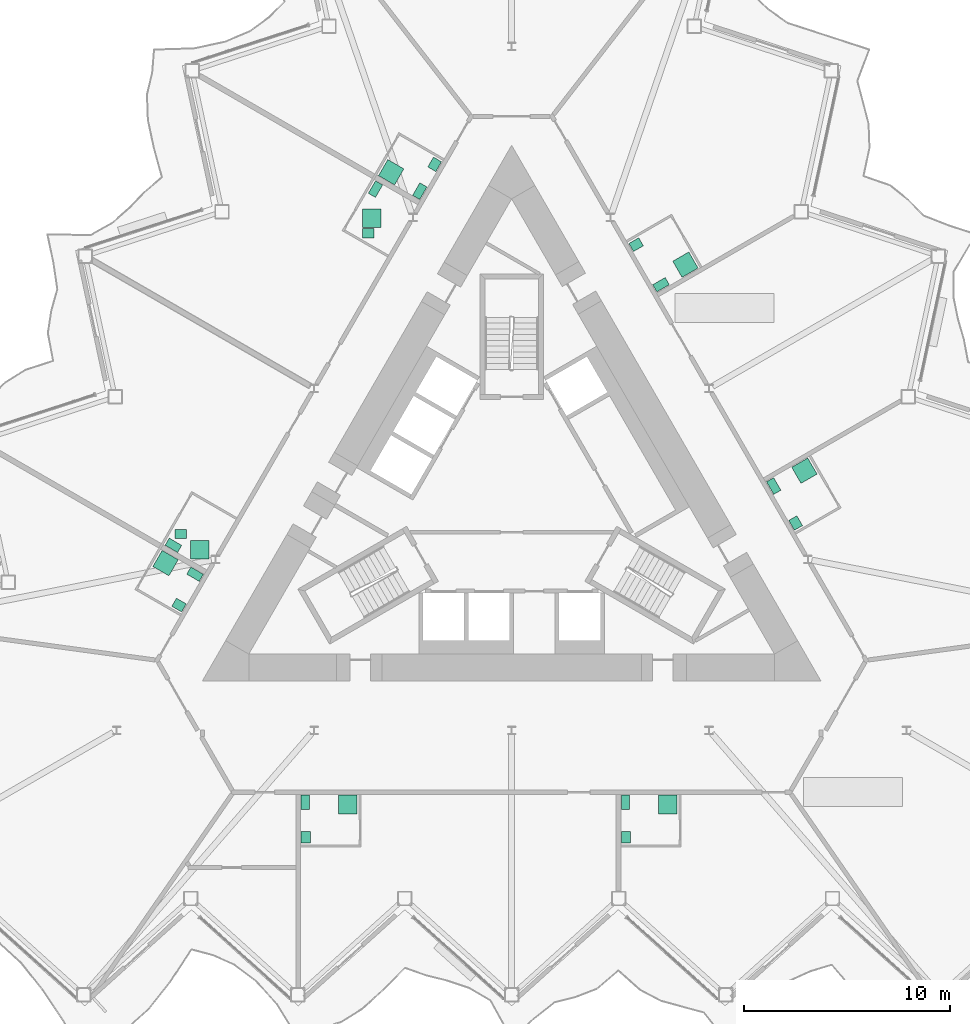
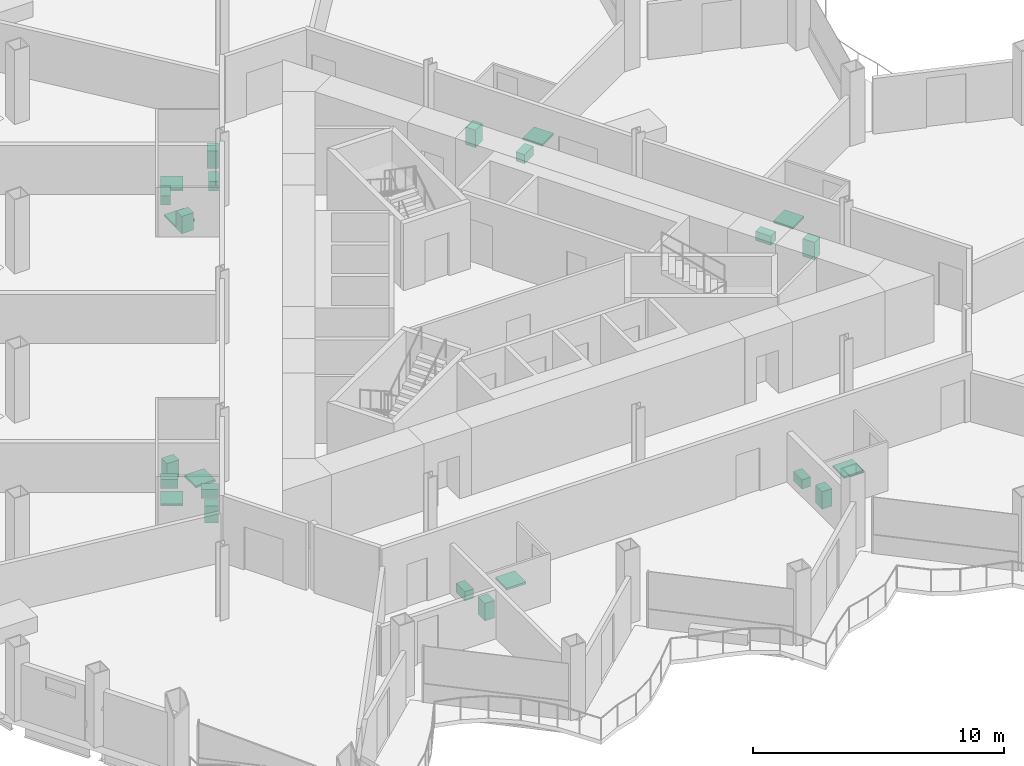
# One storey, part 22 of 23: 24 sanitary terminals.
"""IFC4 building model written with IfcOpenShell, lengths in metres."""

from ifc_helpers import new_model, si_unit, direction, frame, origin, origin_2d, place, context, subcontext, project, spatial, rectangle, extrude, material, type_object, element, save


model = new_model("IFC4")

# Units and contexts
model_context = context("Model", 3, precision=1e-05, world=origin(), true_north=direction((0.0, 1.0)))
body_context = subcontext(model_context, "Body", "Model", "MODEL_VIEW")
ifc_project = project(units=[si_unit("LENGTHUNIT", "METRE"), si_unit("AREAUNIT", "SQUARE_METRE"), si_unit("VOLUMEUNIT", "CUBIC_METRE"), si_unit("PLANEANGLEUNIT", "RADIAN"), si_unit("MASSUNIT", "GRAM", prefix="KILO")], contexts=[model_context])

# Site, building, storey
site_placement = place(None, origin())
site = spatial("IfcSite", under=ifc_project, at=site_placement, CompositionType="ELEMENT")
building_placement = place(site_placement, origin())
building = spatial("IfcBuilding", under=site, at=building_placement, Name="Cormorant Prow Tower", CompositionType="ELEMENT")
storey_placement = place(building_placement, frame((0.0, 0.0, 241.800048828125)))
storey = spatial("IfcBuildingStorey", under=building, at=storey_placement, Name="L53", CompositionType="ELEMENT", Elevation=241.800048828125)

# Sanitary terminals
ifc_material_1 = material(Name="Vitreous china")
sanitary_terminal_type_1 = type_object("IfcSanitaryTerminalType", Name="Shower tray 900x900", PredefinedType="SHOWER", material=ifc_material_1)
for number, where, z_axis, x_axis, name in (
    (1, (-7.9462890625, -14.6552734375, 0.0), (0.0, 0.0, 1.0), (0.0, -1.0, 0.0), "Shower tray"),
    (2, (7.580810546875, -14.6552734375, 0.0), (0.0, 0.0, 1.0), (0.0, -1.0, 0.0), "Shower tray"),
    (3, (14.2001953125, 1.53515625, 0.0), (0.0, 0.0, 1.0), (0.5, -0.866025403784, 0.0), "Shower tray"),
    (4, (8.429443359375, 11.5302734375, 0.0), (0.0, 0.0, 1.0), (-0.866025403784, -0.5, 0.0), "Shower tray"),
    (5, (-5.841552734375, 16.012451171875, 0.0), (0.0, 0.0, 1.0), (0.5, 0.866025403784, 0.0), "Shower tray"),
    (6, (-6.774658203125, 13.7763671875, 0.0), (0.0, 0.0, 1.0), (1.0, 0.0, 0.0), "Shower tray"),
    (7, (-15.126220703125, -2.3046875, 0.0), (0.0, 0.0, 1.0), (1.0, 0.0, 0.0), "Shower tray"),
    (8, (-16.7880859375, -2.947265625, 0.0), (0.0, 0.0, 1.0), (0.866025403784, -0.5, 0.0), "Shower tray"),
):
    element("IfcSanitaryTerminal", number, at=place(storey_placement, frame(where, z_axis=z_axis, x_axis=x_axis)), inside=storey, type_object=sanitary_terminal_type_1, Name=name, PredefinedType="SHOWER", context=body_context, shape_type="SweptSolid", body=[
        extrude(rectangle(XDim=0.89990234375, YDim=0.89990234375, at=origin_2d()), origin(), (0.0, 0.0, 1.0), 0.10009765625),
    ])
ifc_material_2 = material(Name="Vitreous china")
sanitary_terminal_type_2 = type_object("IfcSanitaryTerminalType", Name="Wash basin 550x450", PredefinedType="WASHHANDBASIN", material=ifc_material_2)
for number, where, z_axis, x_axis, name in (
    (9, (-9.9814453125, -16.240234375, 0.0), (0.0, 0.0, 1.0), (0.0, 1.0, 0.0), "Wash basin"),
    (10, (5.545654296875, -16.240234375, 0.0), (0.0, 0.0, 1.0), (0.0, 1.0, 0.0), "Wash basin"),
    (11, (13.776611328125, -1.00146484375, 0.0), (0.0, 0.0, 1.0), (-0.5, 0.866025403784, 0.0), "Wash basin"),
    (12, (6.039306640625, 12.5, 0.0), (0.0, 0.0, 1.0), (0.866025403784, 0.5, 0.0), "Wash basin"),
    (13, (-3.733154296875, 16.394287109375, 0.0), (0.0, 0.0, 1.0), (-0.5, -0.866025403784, 0.0), "Wash basin"),
    (14, (-6.94970703125, 13.051513671875, 0.0), (0.0, 0.0, 1.0), (1.0, 0.0, 0.0), "Wash basin"),
    (15, (-16.051025390625, -1.52978515625, 0.0), (0.0, 0.0, 1.0), (1.0, 0.0, 0.0), "Wash basin"),
    (16, (-16.1328125, -4.982421875, 0.0), (0.0, 0.0, 1.0), (-0.866025403784, 0.5, 0.0), "Wash basin"),
):
    element("IfcSanitaryTerminal", number, at=place(storey_placement, frame(where, z_axis=z_axis, x_axis=x_axis)), inside=storey, type_object=sanitary_terminal_type_2, Name=name, PredefinedType="WASHHANDBASIN", context=body_context, shape_type="SweptSolid", body=[
        extrude(rectangle(XDim=0.550048828125, YDim=0.449951171875, at=origin_2d()), origin(), (0.0, 0.0, 1.0), 0.85009765625),
    ])
ifc_material_3 = material(Name="Vitreous china")
sanitary_terminal_type_3 = type_object("IfcSanitaryTerminalType", Name="Water closet 400x700", PredefinedType="WCSEAT", material=ifc_material_3)
for number, where, z_axis, x_axis, name in (
    (17, (-10.00634765625, -14.555419921875, 0.0), (0.0, 0.0, 1.0), (1.0, 0.0, 0.0), "Water closet"),
    (18, (5.520751953125, -14.555419921875, 0.0), (0.0, 0.0, 1.0), (1.0, 0.0, 0.0), "Water closet"),
    (19, (12.712646484375, 0.791748046875, 0.0), (0.0, 0.0, 1.0), (0.866025403784, 0.5, 0.0), "Water closet"),
    (20, (7.246826171875, 10.55859375, 0.0), (0.0, 0.0, 1.0), (-0.5, 0.866025403784, 0.0), "Water closet"),
    (21, (-4.4541015625, 15.095947265625, 0.0), (0.0, 0.0, 1.0), (-0.866025403784, 0.5, 0.0), "Water closet"),
    (22, (-6.60302734375, 15.193603515625, 0.0), (0.0, 0.0, 1.0), (0.866025403784, -0.5, 0.0), "Water closet"),
    (23, (-16.404541015625, -2.083251953125, 0.0), (0.0, 0.0, 1.0), (0.5, 0.866025403784, 0.0), "Water closet"),
    (24, (-15.355224609375, -3.485595703125, 0.0), (0.0, 0.0, 1.0), (-0.5, -0.866025403784, 0.0), "Water closet"),
):
    element("IfcSanitaryTerminal", number, at=place(storey_placement, frame(where, z_axis=z_axis, x_axis=x_axis)), inside=storey, type_object=sanitary_terminal_type_3, Name=name, PredefinedType="WCSEAT", context=body_context, shape_type="SweptSolid", body=[
        extrude(rectangle(XDim=0.39990234375, YDim=0.699951171875, at=origin_2d()), origin(), (0.0, 0.0, 1.0), 0.449951171875),
    ])

save(model, "model.ifc")
